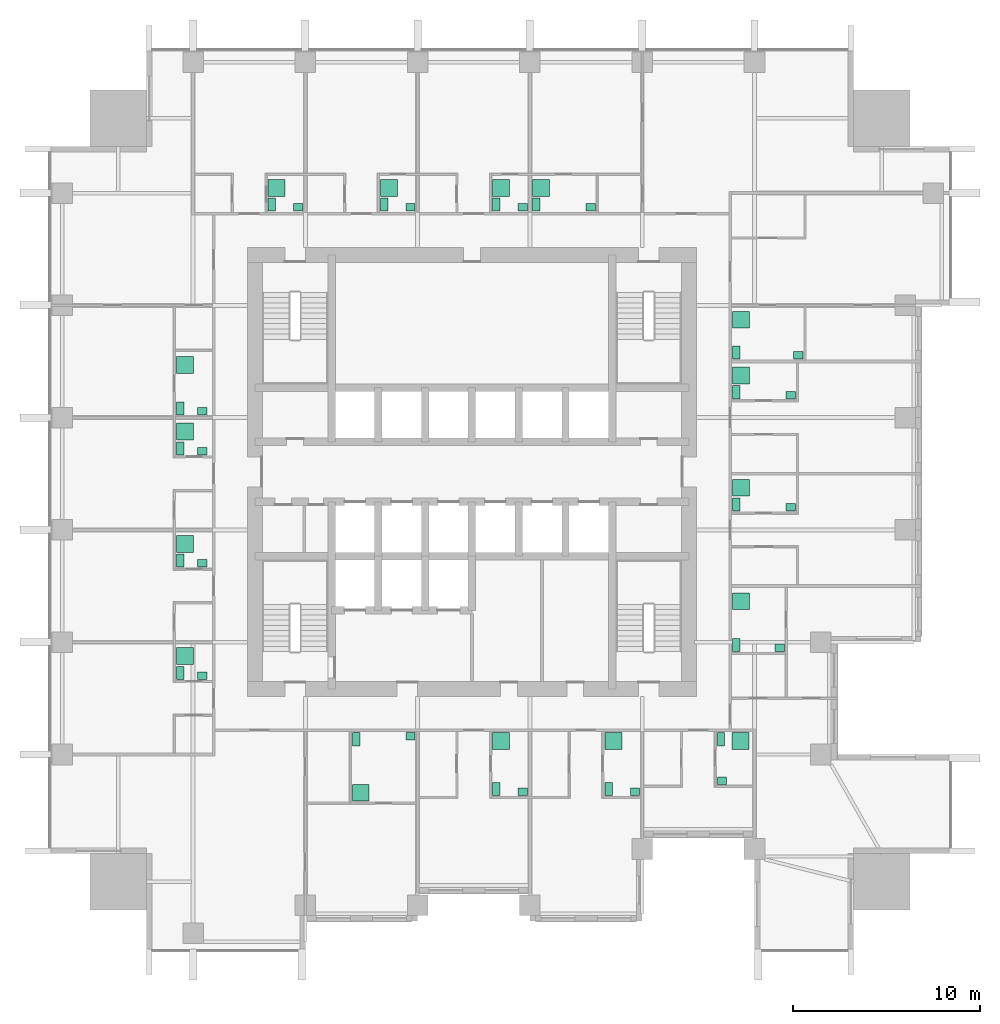
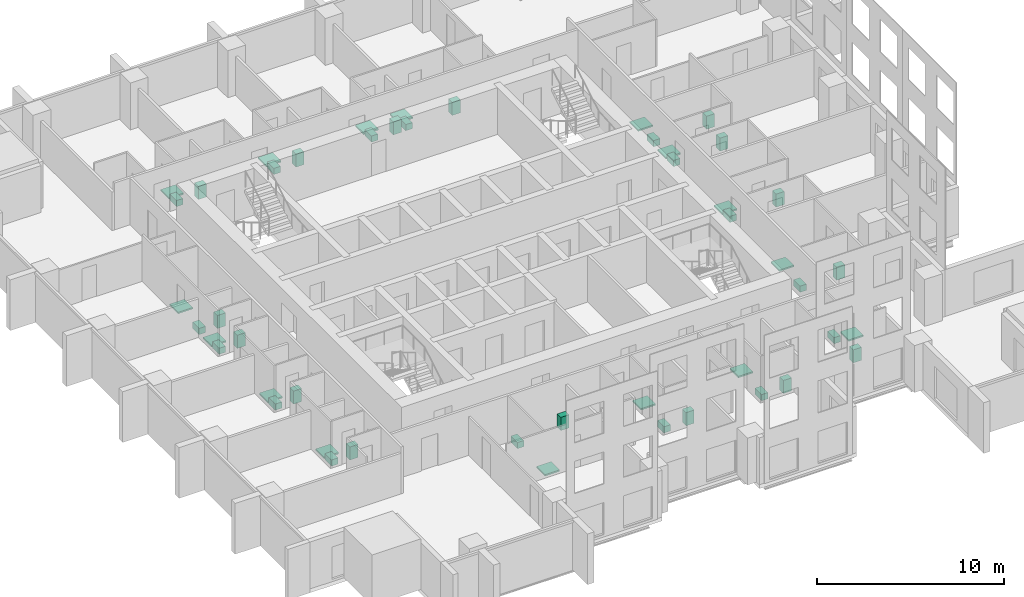
# One storey, part 12 of 12: 48 sanitary terminals.
"""IFC4 building model written with IfcOpenShell, lengths in metres."""

from ifc_helpers import new_model, si_unit, direction, frame, origin, origin_2d, place, context, subcontext, project, spatial, rectangle, extrude, element, save


model = new_model("IFC4")

# Units and contexts
model_context = context("Model", 3, precision=1e-05, world=origin(), true_north=direction((0.0, 1.0)))
body_context = subcontext(model_context, "Body", "Model", "MODEL_VIEW")
ifc_project = project(units=[si_unit("LENGTHUNIT", "METRE"), si_unit("AREAUNIT", "SQUARE_METRE"), si_unit("VOLUMEUNIT", "CUBIC_METRE"), si_unit("PLANEANGLEUNIT", "RADIAN"), si_unit("MASSUNIT", "GRAM", prefix="KILO")], contexts=[model_context])

# Site, building, storey
site_placement = place(None, origin())
site = spatial("IfcSite", under=ifc_project, at=site_placement, CompositionType="ELEMENT")
building_placement = place(site_placement, origin())
building = spatial("IfcBuilding", under=site, at=building_placement, Name="Amberfall Residences", CompositionType="ELEMENT")
storey_placement = place(building_placement, frame((0.0, 0.0, 88.60009765625)))
storey = spatial("IfcBuildingStorey", under=building, at=storey_placement, Name="L23", CompositionType="ELEMENT", Elevation=88.60009765625)

# Sanitary terminals
sanitary_terminal_1_placement = place(storey_placement, frame((68.31005859375, 31.215087890625, 0.0), z_axis=(0.0, 0.0, 1.0), x_axis=(1.0, 0.0, 0.0)))
element("IfcSanitaryTerminal", 1, at=sanitary_terminal_1_placement, inside=storey, Name="Water closet 2301", PredefinedType="TOILETPAN", context=body_context, shape_type="SweptSolid", body=[
    extrude(rectangle(XDim=0.39990234375, YDim=0.699951171875, at=origin_2d()), origin(), (0.0, 0.0, 1.0), 0.39990234375),
])
sanitary_terminal_2_placement = place(storey_placement, frame((71.215087890625, 31.364990234375, -0.000244140625), z_axis=(0.0, 0.0, 1.0), x_axis=(1.0, 0.0, 0.0)))
element("IfcSanitaryTerminal", 2, at=sanitary_terminal_2_placement, inside=storey, Name="Basin 2301", PredefinedType="WASHHANDBASIN", context=body_context, shape_type="SweptSolid", body=[
    extrude(rectangle(XDim=0.5, YDim=0.39990234375, at=origin_2d()), origin(), (0.0, 0.0, 1.0), 0.85009765625),
])
sanitary_terminal_3_placement = place(storey_placement, frame((68.56005859375, 28.360107421875, -0.000244140625), z_axis=(0.0, 0.0, 1.0), x_axis=(1.0, 0.0, 0.0)))
element("IfcSanitaryTerminal", 3, at=sanitary_terminal_3_placement, inside=storey, Name="Shower tray 2301", PredefinedType="SHOWER", context=body_context, shape_type="SweptSolid", body=[
    extrude(rectangle(XDim=0.89990234375, YDim=0.89990234375, at=origin_2d()), origin(), (0.0, 0.0, 1.0), 0.10009765625),
])
sanitary_terminal_4_placement = place(storey_placement, frame((75.81005859375, 28.56005859375, 0.0), z_axis=(0.0, 0.0, 1.0), x_axis=(1.0, 0.0, 0.0)))
element("IfcSanitaryTerminal", 4, at=sanitary_terminal_4_placement, inside=storey, Name="Water closet 2302", PredefinedType="TOILETPAN", context=body_context, shape_type="SweptSolid", body=[
    extrude(rectangle(XDim=0.39990234375, YDim=0.699951171875, at=origin_2d()), origin(), (0.0, 0.0, 1.0), 0.39990234375),
])
sanitary_terminal_5_placement = place(storey_placement, frame((77.215087890625, 28.409912109375, -0.000244140625), z_axis=(0.0, 0.0, 1.0), x_axis=(1.0, 0.0, 0.0)))
element("IfcSanitaryTerminal", 5, at=sanitary_terminal_5_placement, inside=storey, Name="Basin 2302", PredefinedType="WASHHANDBASIN", context=body_context, shape_type="SweptSolid", body=[
    extrude(rectangle(XDim=0.5, YDim=0.39990234375, at=origin_2d()), origin(), (0.0, 0.0, 1.0), 0.85009765625),
])
sanitary_terminal_6_placement = place(storey_placement, frame((76.06005859375, 31.114990234375, -0.000244140625), z_axis=(0.0, 0.0, 1.0), x_axis=(1.0, 0.0, 0.0)))
element("IfcSanitaryTerminal", 6, at=sanitary_terminal_6_placement, inside=storey, Name="Shower tray 2302", PredefinedType="SHOWER", context=body_context, shape_type="SweptSolid", body=[
    extrude(rectangle(XDim=0.89990234375, YDim=0.89990234375, at=origin_2d()), origin(), (0.0, 0.0, 1.0), 0.10009765625),
])
sanitary_terminal_7_placement = place(storey_placement, frame((81.81005859375, 28.56005859375, 0.0), z_axis=(0.0, 0.0, 1.0), x_axis=(1.0, 0.0, 0.0)))
element("IfcSanitaryTerminal", 7, at=sanitary_terminal_7_placement, inside=storey, Name="Water closet 2303", PredefinedType="TOILETPAN", context=body_context, shape_type="SweptSolid", body=[
    extrude(rectangle(XDim=0.39990234375, YDim=0.699951171875, at=origin_2d()), origin(), (0.0, 0.0, 1.0), 0.39990234375),
])
sanitary_terminal_8_placement = place(storey_placement, frame((83.215087890625, 28.409912109375, -0.000244140625), z_axis=(0.0, 0.0, 1.0), x_axis=(1.0, 0.0, 0.0)))
element("IfcSanitaryTerminal", 8, at=sanitary_terminal_8_placement, inside=storey, Name="Basin 2303", PredefinedType="WASHHANDBASIN", context=body_context, shape_type="SweptSolid", body=[
    extrude(rectangle(XDim=0.5, YDim=0.39990234375, at=origin_2d()), origin(), (0.0, 0.0, 1.0), 0.85009765625),
])
sanitary_terminal_9_placement = place(storey_placement, frame((82.06005859375, 31.114990234375, -0.000244140625), z_axis=(0.0, 0.0, 1.0), x_axis=(1.0, 0.0, 0.0)))
element("IfcSanitaryTerminal", 9, at=sanitary_terminal_9_placement, inside=storey, Name="Shower tray 2303", PredefinedType="SHOWER", context=body_context, shape_type="SweptSolid", body=[
    extrude(rectangle(XDim=0.89990234375, YDim=0.89990234375, at=origin_2d()), origin(), (0.0, 0.0, 1.0), 0.10009765625),
])
sanitary_terminal_10_placement = place(storey_placement, frame((87.81005859375, 31.215087890625, 0.0), z_axis=(0.0, 0.0, 1.0), x_axis=(1.0, 0.0, 0.0)))
element("IfcSanitaryTerminal", 10, at=sanitary_terminal_10_placement, inside=storey, Name="Water closet 2304", PredefinedType="TOILETPAN", context=body_context, shape_type="SweptSolid", body=[
    extrude(rectangle(XDim=0.39990234375, YDim=0.699951171875, at=origin_2d()), origin(), (0.0, 0.0, 1.0), 0.39990234375),
])
sanitary_terminal_11_placement = place(storey_placement, frame((87.860107421875, 29.010009765625, -0.000244140625), z_axis=(0.0, 0.0, 1.0), x_axis=(1.0, 0.0, 0.0)))
element("IfcSanitaryTerminal", 11, at=sanitary_terminal_11_placement, inside=storey, Name="Basin 2304", PredefinedType="WASHHANDBASIN", context=body_context, shape_type="SweptSolid", body=[
    extrude(rectangle(XDim=0.5, YDim=0.39990234375, at=origin_2d()), origin(), (0.0, 0.0, 1.0), 0.85009765625),
])
sanitary_terminal_12_placement = place(storey_placement, frame((88.855712890625, 31.114990234375, -0.000244140625), z_axis=(0.0, 0.0, 1.0), x_axis=(1.0, 0.0, 0.0)))
element("IfcSanitaryTerminal", 12, at=sanitary_terminal_12_placement, inside=storey, Name="Shower tray 2304", PredefinedType="SHOWER", context=body_context, shape_type="SweptSolid", body=[
    extrude(rectangle(XDim=0.89990234375, YDim=0.89990234375, at=origin_2d()), origin(), (0.0, 0.0, 1.0), 0.10009765625),
])
sanitary_terminal_13_placement = place(storey_placement, frame((88.635009765625, 36.260009765625, 0.0), z_axis=(0.0, 0.0, 1.0), x_axis=(1.0, 0.0, 0.0)))
element("IfcSanitaryTerminal", 13, at=sanitary_terminal_13_placement, inside=storey, Name="Water closet 2305", PredefinedType="TOILETPAN", context=body_context, shape_type="SweptSolid", body=[
    extrude(rectangle(XDim=0.39990234375, YDim=0.699951171875, at=origin_2d()), origin(), (0.0, 0.0, 1.0), 0.39990234375),
])
sanitary_terminal_14_placement = place(storey_placement, frame((90.93994140625, 36.110107421875, -0.000244140625), z_axis=(0.0, 0.0, 1.0), x_axis=(1.0, 0.0, 0.0)))
element("IfcSanitaryTerminal", 14, at=sanitary_terminal_14_placement, inside=storey, Name="Basin 2305", PredefinedType="WASHHANDBASIN", context=body_context, shape_type="SweptSolid", body=[
    extrude(rectangle(XDim=0.5, YDim=0.39990234375, at=origin_2d()), origin(), (0.0, 0.0, 1.0), 0.85009765625),
])
sanitary_terminal_15_placement = place(storey_placement, frame((88.885009765625, 38.591796875, -0.000244140625), z_axis=(0.0, 0.0, 1.0), x_axis=(1.0, 0.0, 0.0)))
element("IfcSanitaryTerminal", 15, at=sanitary_terminal_15_placement, inside=storey, Name="Shower tray 2305", PredefinedType="SHOWER", context=body_context, shape_type="SweptSolid", body=[
    extrude(rectangle(XDim=0.89990234375, YDim=0.89990234375, at=origin_2d()), origin(), (0.0, 0.0, 1.0), 0.10009765625),
])
sanitary_terminal_16_placement = place(storey_placement, frame((88.635009765625, 43.760009765625, 0.0), z_axis=(0.0, 0.0, 1.0), x_axis=(1.0, 0.0, 0.0)))
element("IfcSanitaryTerminal", 16, at=sanitary_terminal_16_placement, inside=storey, Name="Water closet 2306", PredefinedType="TOILETPAN", context=body_context, shape_type="SweptSolid", body=[
    extrude(rectangle(XDim=0.39990234375, YDim=0.699951171875, at=origin_2d()), origin(), (0.0, 0.0, 1.0), 0.39990234375),
])
sanitary_terminal_17_placement = place(storey_placement, frame((91.5400390625, 43.610107421875, -0.000244140625), z_axis=(0.0, 0.0, 1.0), x_axis=(1.0, 0.0, 0.0)))
element("IfcSanitaryTerminal", 17, at=sanitary_terminal_17_placement, inside=storey, Name="Basin 2306", PredefinedType="WASHHANDBASIN", context=body_context, shape_type="SweptSolid", body=[
    extrude(rectangle(XDim=0.5, YDim=0.39990234375, at=origin_2d()), origin(), (0.0, 0.0, 1.0), 0.85009765625),
])
sanitary_terminal_18_placement = place(storey_placement, frame((88.885009765625, 44.65576171875, -0.000244140625), z_axis=(0.0, 0.0, 1.0), x_axis=(1.0, 0.0, 0.0)))
element("IfcSanitaryTerminal", 18, at=sanitary_terminal_18_placement, inside=storey, Name="Shower tray 2306", PredefinedType="SHOWER", context=body_context, shape_type="SweptSolid", body=[
    extrude(rectangle(XDim=0.89990234375, YDim=0.89990234375, at=origin_2d()), origin(), (0.0, 0.0, 1.0), 0.10009765625),
])
sanitary_terminal_19_placement = place(storey_placement, frame((88.635009765625, 49.760009765625, 0.0), z_axis=(0.0, 0.0, 1.0), x_axis=(1.0, 0.0, 0.0)))
element("IfcSanitaryTerminal", 19, at=sanitary_terminal_19_placement, inside=storey, Name="Water closet 2307", PredefinedType="TOILETPAN", context=body_context, shape_type="SweptSolid", body=[
    extrude(rectangle(XDim=0.39990234375, YDim=0.699951171875, at=origin_2d()), origin(), (0.0, 0.0, 1.0), 0.39990234375),
])
sanitary_terminal_20_placement = place(storey_placement, frame((91.5400390625, 49.610107421875, -0.000244140625), z_axis=(0.0, 0.0, 1.0), x_axis=(1.0, 0.0, 0.0)))
element("IfcSanitaryTerminal", 20, at=sanitary_terminal_20_placement, inside=storey, Name="Basin 2307", PredefinedType="WASHHANDBASIN", context=body_context, shape_type="SweptSolid", body=[
    extrude(rectangle(XDim=0.5, YDim=0.39990234375, at=origin_2d()), origin(), (0.0, 0.0, 1.0), 0.85009765625),
])
sanitary_terminal_21_placement = place(storey_placement, frame((88.885009765625, 50.65576171875, -0.000244140625), z_axis=(0.0, 0.0, 1.0), x_axis=(1.0, 0.0, 0.0)))
element("IfcSanitaryTerminal", 21, at=sanitary_terminal_21_placement, inside=storey, Name="Shower tray 2307", PredefinedType="SHOWER", context=body_context, shape_type="SweptSolid", body=[
    extrude(rectangle(XDim=0.89990234375, YDim=0.89990234375, at=origin_2d()), origin(), (0.0, 0.0, 1.0), 0.10009765625),
])
sanitary_terminal_22_placement = place(storey_placement, frame((88.635009765625, 51.885009765625, 0.0), z_axis=(0.0, 0.0, 1.0), x_axis=(1.0, 0.0, 0.0)))
element("IfcSanitaryTerminal", 22, at=sanitary_terminal_22_placement, inside=storey, Name="Water closet 2308", PredefinedType="TOILETPAN", context=body_context, shape_type="SweptSolid", body=[
    extrude(rectangle(XDim=0.39990234375, YDim=0.699951171875, at=origin_2d()), origin(), (0.0, 0.0, 1.0), 0.39990234375),
])
sanitary_terminal_23_placement = place(storey_placement, frame((91.93994140625, 51.735107421875, -0.000244140625), z_axis=(0.0, 0.0, 1.0), x_axis=(1.0, 0.0, 0.0)))
element("IfcSanitaryTerminal", 23, at=sanitary_terminal_23_placement, inside=storey, Name="Basin 2308", PredefinedType="WASHHANDBASIN", context=body_context, shape_type="SweptSolid", body=[
    extrude(rectangle(XDim=0.5, YDim=0.39990234375, at=origin_2d()), origin(), (0.0, 0.0, 1.0), 0.85009765625),
])
sanitary_terminal_24_placement = place(storey_placement, frame((88.885009765625, 53.6337890625, -0.000244140625), z_axis=(0.0, 0.0, 1.0), x_axis=(1.0, 0.0, 0.0)))
element("IfcSanitaryTerminal", 24, at=sanitary_terminal_24_placement, inside=storey, Name="Shower tray 2308", PredefinedType="SHOWER", context=body_context, shape_type="SweptSolid", body=[
    extrude(rectangle(XDim=0.89990234375, YDim=0.89990234375, at=origin_2d()), origin(), (0.0, 0.0, 1.0), 0.10009765625),
])
sanitary_terminal_25_placement = place(storey_placement, frame((63.81005859375, 59.784912109375, 0.0), z_axis=(0.0, 0.0, 1.0), x_axis=(1.0, 0.0, 0.0)))
element("IfcSanitaryTerminal", 25, at=sanitary_terminal_25_placement, inside=storey, Name="Water closet 2309", PredefinedType="TOILETPAN", context=body_context, shape_type="SweptSolid", body=[
    extrude(rectangle(XDim=0.39990234375, YDim=0.699951171875, at=origin_2d()), origin(), (0.0, 0.0, 1.0), 0.39990234375),
])
sanitary_terminal_26_placement = place(storey_placement, frame((65.215087890625, 59.635009765625, -0.000244140625), z_axis=(0.0, 0.0, 1.0), x_axis=(1.0, 0.0, 0.0)))
element("IfcSanitaryTerminal", 26, at=sanitary_terminal_26_placement, inside=storey, Name="Basin 2309", PredefinedType="WASHHANDBASIN", context=body_context, shape_type="SweptSolid", body=[
    extrude(rectangle(XDim=0.5, YDim=0.39990234375, at=origin_2d()), origin(), (0.0, 0.0, 1.0), 0.85009765625),
])
sanitary_terminal_27_placement = place(storey_placement, frame((64.06005859375, 60.680908203125, -0.000244140625), z_axis=(0.0, 0.0, 1.0), x_axis=(1.0, 0.0, 0.0)))
element("IfcSanitaryTerminal", 27, at=sanitary_terminal_27_placement, inside=storey, Name="Shower tray 2309", PredefinedType="SHOWER", context=body_context, shape_type="SweptSolid", body=[
    extrude(rectangle(XDim=0.89990234375, YDim=0.89990234375, at=origin_2d()), origin(), (0.0, 0.0, 1.0), 0.10009765625),
])
sanitary_terminal_28_placement = place(storey_placement, frame((69.81005859375, 59.784912109375, 0.0), z_axis=(0.0, 0.0, 1.0), x_axis=(1.0, 0.0, 0.0)))
element("IfcSanitaryTerminal", 28, at=sanitary_terminal_28_placement, inside=storey, Name="Water closet 2310", PredefinedType="TOILETPAN", context=body_context, shape_type="SweptSolid", body=[
    extrude(rectangle(XDim=0.39990234375, YDim=0.699951171875, at=origin_2d()), origin(), (0.0, 0.0, 1.0), 0.39990234375),
])
sanitary_terminal_29_placement = place(storey_placement, frame((71.215087890625, 59.635009765625, -0.000244140625), z_axis=(0.0, 0.0, 1.0), x_axis=(1.0, 0.0, 0.0)))
element("IfcSanitaryTerminal", 29, at=sanitary_terminal_29_placement, inside=storey, Name="Basin 2310", PredefinedType="WASHHANDBASIN", context=body_context, shape_type="SweptSolid", body=[
    extrude(rectangle(XDim=0.5, YDim=0.39990234375, at=origin_2d()), origin(), (0.0, 0.0, 1.0), 0.85009765625),
])
sanitary_terminal_30_placement = place(storey_placement, frame((70.06005859375, 60.680908203125, -0.000244140625), z_axis=(0.0, 0.0, 1.0), x_axis=(1.0, 0.0, 0.0)))
element("IfcSanitaryTerminal", 30, at=sanitary_terminal_30_placement, inside=storey, Name="Shower tray 2310", PredefinedType="SHOWER", context=body_context, shape_type="SweptSolid", body=[
    extrude(rectangle(XDim=0.89990234375, YDim=0.89990234375, at=origin_2d()), origin(), (0.0, 0.0, 1.0), 0.10009765625),
])
sanitary_terminal_31_placement = place(storey_placement, frame((75.81005859375, 59.784912109375, 0.0), z_axis=(0.0, 0.0, 1.0), x_axis=(1.0, 0.0, 0.0)))
element("IfcSanitaryTerminal", 31, at=sanitary_terminal_31_placement, inside=storey, Name="Water closet 2311", PredefinedType="TOILETPAN", context=body_context, shape_type="SweptSolid", body=[
    extrude(rectangle(XDim=0.39990234375, YDim=0.699951171875, at=origin_2d()), origin(), (0.0, 0.0, 1.0), 0.39990234375),
])
sanitary_terminal_32_placement = place(storey_placement, frame((77.215087890625, 59.635009765625, -0.000244140625), z_axis=(0.0, 0.0, 1.0), x_axis=(1.0, 0.0, 0.0)))
element("IfcSanitaryTerminal", 32, at=sanitary_terminal_32_placement, inside=storey, Name="Basin 2311", PredefinedType="WASHHANDBASIN", context=body_context, shape_type="SweptSolid", body=[
    extrude(rectangle(XDim=0.5, YDim=0.39990234375, at=origin_2d()), origin(), (0.0, 0.0, 1.0), 0.85009765625),
])
sanitary_terminal_33_placement = place(storey_placement, frame((76.06005859375, 60.680908203125, -0.000244140625), z_axis=(0.0, 0.0, 1.0), x_axis=(1.0, 0.0, 0.0)))
element("IfcSanitaryTerminal", 33, at=sanitary_terminal_33_placement, inside=storey, Name="Shower tray 2311", PredefinedType="SHOWER", context=body_context, shape_type="SweptSolid", body=[
    extrude(rectangle(XDim=0.89990234375, YDim=0.89990234375, at=origin_2d()), origin(), (0.0, 0.0, 1.0), 0.10009765625),
])
sanitary_terminal_34_placement = place(storey_placement, frame((77.93505859375, 59.784912109375, 0.0), z_axis=(0.0, 0.0, 1.0), x_axis=(1.0, 0.0, 0.0)))
element("IfcSanitaryTerminal", 34, at=sanitary_terminal_34_placement, inside=storey, Name="Water closet 2312", PredefinedType="TOILETPAN", context=body_context, shape_type="SweptSolid", body=[
    extrude(rectangle(XDim=0.39990234375, YDim=0.699951171875, at=origin_2d()), origin(), (0.0, 0.0, 1.0), 0.39990234375),
])
sanitary_terminal_35_placement = place(storey_placement, frame((80.840087890625, 59.635009765625, -0.000244140625), z_axis=(0.0, 0.0, 1.0), x_axis=(1.0, 0.0, 0.0)))
element("IfcSanitaryTerminal", 35, at=sanitary_terminal_35_placement, inside=storey, Name="Basin 2312", PredefinedType="WASHHANDBASIN", context=body_context, shape_type="SweptSolid", body=[
    extrude(rectangle(XDim=0.5, YDim=0.39990234375, at=origin_2d()), origin(), (0.0, 0.0, 1.0), 0.85009765625),
])
sanitary_terminal_36_placement = place(storey_placement, frame((78.18505859375, 60.680908203125, -0.000244140625), z_axis=(0.0, 0.0, 1.0), x_axis=(1.0, 0.0, 0.0)))
element("IfcSanitaryTerminal", 36, at=sanitary_terminal_36_placement, inside=storey, Name="Shower tray 2312", PredefinedType="SHOWER", context=body_context, shape_type="SweptSolid", body=[
    extrude(rectangle(XDim=0.89990234375, YDim=0.89990234375, at=origin_2d()), origin(), (0.0, 0.0, 1.0), 0.10009765625),
])
sanitary_terminal_37_placement = place(storey_placement, frame((58.909912109375, 34.760009765625, 0.0), z_axis=(0.0, 0.0, 1.0), x_axis=(1.0, 0.0, 0.0)))
element("IfcSanitaryTerminal", 37, at=sanitary_terminal_37_placement, inside=storey, Name="Water closet 2313", PredefinedType="TOILETPAN", context=body_context, shape_type="SweptSolid", body=[
    extrude(rectangle(XDim=0.39990234375, YDim=0.699951171875, at=origin_2d()), origin(), (0.0, 0.0, 1.0), 0.39990234375),
])
sanitary_terminal_38_placement = place(storey_placement, frame((60.089111328125, 34.610107421875, -0.000244140625), z_axis=(0.0, 0.0, 1.0), x_axis=(1.0, 0.0, 0.0)))
element("IfcSanitaryTerminal", 38, at=sanitary_terminal_38_placement, inside=storey, Name="Basin 2313", PredefinedType="WASHHANDBASIN", context=body_context, shape_type="SweptSolid", body=[
    extrude(rectangle(XDim=0.5, YDim=0.39990234375, at=origin_2d()), origin(), (0.0, 0.0, 1.0), 0.85009765625),
])
sanitary_terminal_39_placement = place(storey_placement, frame((59.159912109375, 35.65576171875, -0.000244140625), z_axis=(0.0, 0.0, 1.0), x_axis=(1.0, 0.0, 0.0)))
element("IfcSanitaryTerminal", 39, at=sanitary_terminal_39_placement, inside=storey, Name="Shower tray 2313", PredefinedType="SHOWER", context=body_context, shape_type="SweptSolid", body=[
    extrude(rectangle(XDim=0.89990234375, YDim=0.89990234375, at=origin_2d()), origin(), (0.0, 0.0, 1.0), 0.10009765625),
])
sanitary_terminal_40_placement = place(storey_placement, frame((58.909912109375, 40.760009765625, 0.0), z_axis=(0.0, 0.0, 1.0), x_axis=(1.0, 0.0, 0.0)))
element("IfcSanitaryTerminal", 40, at=sanitary_terminal_40_placement, inside=storey, Name="Water closet 2314", PredefinedType="TOILETPAN", context=body_context, shape_type="SweptSolid", body=[
    extrude(rectangle(XDim=0.39990234375, YDim=0.699951171875, at=origin_2d()), origin(), (0.0, 0.0, 1.0), 0.39990234375),
])
sanitary_terminal_41_placement = place(storey_placement, frame((60.089111328125, 40.610107421875, -0.000244140625), z_axis=(0.0, 0.0, 1.0), x_axis=(1.0, 0.0, 0.0)))
element("IfcSanitaryTerminal", 41, at=sanitary_terminal_41_placement, inside=storey, Name="Basin 2314", PredefinedType="WASHHANDBASIN", context=body_context, shape_type="SweptSolid", body=[
    extrude(rectangle(XDim=0.5, YDim=0.39990234375, at=origin_2d()), origin(), (0.0, 0.0, 1.0), 0.85009765625),
])
sanitary_terminal_42_placement = place(storey_placement, frame((59.159912109375, 41.65576171875, -0.000244140625), z_axis=(0.0, 0.0, 1.0), x_axis=(1.0, 0.0, 0.0)))
element("IfcSanitaryTerminal", 42, at=sanitary_terminal_42_placement, inside=storey, Name="Shower tray 2314", PredefinedType="SHOWER", context=body_context, shape_type="SweptSolid", body=[
    extrude(rectangle(XDim=0.89990234375, YDim=0.89990234375, at=origin_2d()), origin(), (0.0, 0.0, 1.0), 0.10009765625),
])
sanitary_terminal_43_placement = place(storey_placement, frame((58.909912109375, 46.760009765625, 0.0), z_axis=(0.0, 0.0, 1.0), x_axis=(1.0, 0.0, 0.0)))
element("IfcSanitaryTerminal", 43, at=sanitary_terminal_43_placement, inside=storey, Name="Water closet 2315", PredefinedType="TOILETPAN", context=body_context, shape_type="SweptSolid", body=[
    extrude(rectangle(XDim=0.39990234375, YDim=0.699951171875, at=origin_2d()), origin(), (0.0, 0.0, 1.0), 0.39990234375),
])
sanitary_terminal_44_placement = place(storey_placement, frame((60.089111328125, 46.610107421875, -0.000244140625), z_axis=(0.0, 0.0, 1.0), x_axis=(1.0, 0.0, 0.0)))
element("IfcSanitaryTerminal", 44, at=sanitary_terminal_44_placement, inside=storey, Name="Basin 2315", PredefinedType="WASHHANDBASIN", context=body_context, shape_type="SweptSolid", body=[
    extrude(rectangle(XDim=0.5, YDim=0.39990234375, at=origin_2d()), origin(), (0.0, 0.0, 1.0), 0.85009765625),
])
sanitary_terminal_45_placement = place(storey_placement, frame((59.159912109375, 47.65576171875, -0.000244140625), z_axis=(0.0, 0.0, 1.0), x_axis=(1.0, 0.0, 0.0)))
element("IfcSanitaryTerminal", 45, at=sanitary_terminal_45_placement, inside=storey, Name="Shower tray 2315", PredefinedType="SHOWER", context=body_context, shape_type="SweptSolid", body=[
    extrude(rectangle(XDim=0.89990234375, YDim=0.89990234375, at=origin_2d()), origin(), (0.0, 0.0, 1.0), 0.10009765625),
])
sanitary_terminal_46_placement = place(storey_placement, frame((58.909912109375, 48.885009765625, 0.0), z_axis=(0.0, 0.0, 1.0), x_axis=(1.0, 0.0, 0.0)))
element("IfcSanitaryTerminal", 46, at=sanitary_terminal_46_placement, inside=storey, Name="Water closet 2316", PredefinedType="TOILETPAN", context=body_context, shape_type="SweptSolid", body=[
    extrude(rectangle(XDim=0.39990234375, YDim=0.699951171875, at=origin_2d()), origin(), (0.0, 0.0, 1.0), 0.39990234375),
])
sanitary_terminal_47_placement = place(storey_placement, frame((60.089111328125, 48.735107421875, -0.000244140625), z_axis=(0.0, 0.0, 1.0), x_axis=(1.0, 0.0, 0.0)))
element("IfcSanitaryTerminal", 47, at=sanitary_terminal_47_placement, inside=storey, Name="Basin 2316", PredefinedType="WASHHANDBASIN", context=body_context, shape_type="SweptSolid", body=[
    extrude(rectangle(XDim=0.5, YDim=0.39990234375, at=origin_2d()), origin(), (0.0, 0.0, 1.0), 0.85009765625),
])
sanitary_terminal_48_placement = place(storey_placement, frame((59.159912109375, 51.216796875, -0.000244140625), z_axis=(0.0, 0.0, 1.0), x_axis=(1.0, 0.0, 0.0)))
element("IfcSanitaryTerminal", 48, at=sanitary_terminal_48_placement, inside=storey, Name="Shower tray 2316", PredefinedType="SHOWER", context=body_context, shape_type="SweptSolid", body=[
    extrude(rectangle(XDim=0.89990234375, YDim=0.89990234375, at=origin_2d()), origin(), (0.0, 0.0, 1.0), 0.10009765625),
])

save(model, "model.ifc")
